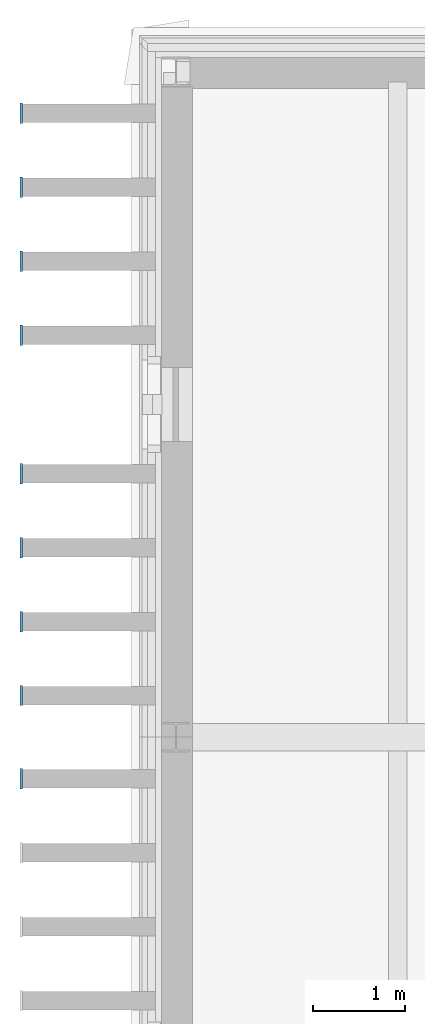
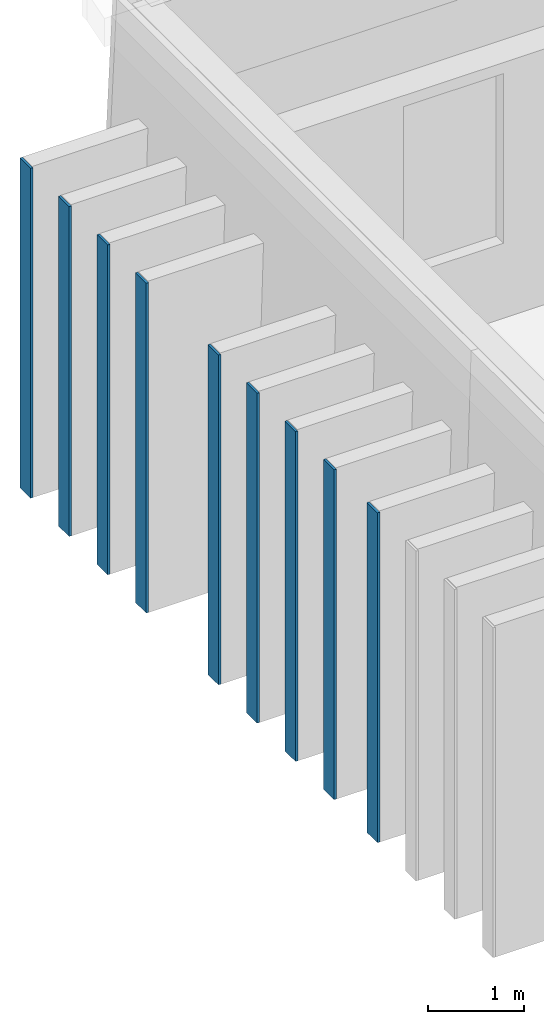
# One storey, part 20 of 44: 9 plates.
"""IFC4 building model written with IfcOpenShell, lengths in metres."""

from ifc_helpers import new_model, si_unit, direction, frame, origin, origin_2d, place, context, subcontext, project, spatial, rectangle, extrude, material, layer, layer_set, type_object, element, save


model = new_model("IFC4")

# Units and contexts
model_context = context("Model", 3, precision=1e-05, world=origin(), true_north=direction((0.0, 1.0)))
body_context = subcontext(model_context, "Body", "Model", "MODEL_VIEW")
ifc_project = project(units=[si_unit("LENGTHUNIT", "METRE"), si_unit("AREAUNIT", "SQUARE_METRE"), si_unit("VOLUMEUNIT", "CUBIC_METRE"), si_unit("PLANEANGLEUNIT", "RADIAN"), si_unit("MASSUNIT", "GRAM", prefix="KILO")], contexts=[model_context])

# Site, building, storey
site_placement = place(None, origin())
site = spatial("IfcSite", under=ifc_project, at=site_placement, CompositionType="ELEMENT")
building_placement = place(site_placement, origin())
building = spatial("IfcBuilding", under=site, at=building_placement, Name="Narikvali Park Central Library", CompositionType="ELEMENT")
storey_placement = place(building_placement, frame((0.0, 0.0, 22.800048828125)))
storey = spatial("IfcBuildingStorey", under=building, at=storey_placement, Name="L05", CompositionType="ELEMENT", Elevation=22.800048828125)

# Plates
ifc_material = material(Name="Anodised Bronze Aluminium", Category="aluminium")
ifc_layer = layer(ifc_material, 0.028076171875, Name="Anodised Bronze Aluminium")
ifc_layer_set = layer_set([ifc_layer], Name="Anodised Bronze Aluminium")
plate_type = type_object("IfcPlateType", Name="Vertical Brick Fin Bronze Bullnose Cap 28", PredefinedType="SHEET", material=ifc_layer_set)
for number, where, z_axis, x_axis, name in (
    (1, (-1.672119140625, 100.35009765625, 0.009765625), (0.0, 0.0, 1.0), (1.0, 0.0, 0.0), "West Stacks Fin Bullnose Trim 456"),
    (2, (-1.672119140625, 101.25, 0.009765625), (0.0, 0.0, 1.0), (1.0, 0.0, 0.0), "West Stacks Fin Bullnose Trim 462"),
    (3, (-1.672119140625, 102.050048828125, 0.009765625), (0.0, 0.0, 1.0), (1.0, 0.0, 0.0), "West Stacks Fin Bullnose Trim 468"),
    (4, (-1.672119140625, 102.85009765625, 0.009765625), (0.0, 0.0, 1.0), (1.0, 0.0, 0.0), "West Stacks Fin Bullnose Trim 474"),
    (5, (-1.672119140625, 103.64990234375, 0.009765625), (0.0, 0.0, 1.0), (1.0, 0.0, 0.0), "West Stacks Fin Bullnose Trim 480"),
    (6, (-1.672119140625, 105.14990234375, 0.009765625), (0.0, 0.0, 1.0), (1.0, 0.0, 0.0), "West Stacks Fin Bullnose Trim 486"),
    (7, (-1.672119140625, 105.949951171875, 0.009765625), (0.0, 0.0, 1.0), (1.0, 0.0, 0.0), "West Stacks Fin Bullnose Trim 492"),
    (8, (-1.672119140625, 106.75, 0.009765625), (0.0, 0.0, 1.0), (1.0, 0.0, 0.0), "West Stacks Fin Bullnose Trim 498"),
    (9, (-1.672119140625, 107.550048828125, 0.009765625), (0.0, 0.0, 1.0), (1.0, 0.0, 0.0), "West Stacks Fin Bullnose Trim 504"),
):
    element("IfcPlate", number, at=place(storey_placement, frame(where, z_axis=z_axis, x_axis=x_axis)), inside=storey, type_object=plate_type, Name=name, PredefinedType="SHEET", context=body_context, shape_type="SweptSolid", body=[
        extrude(rectangle(XDim=0.028076171875, YDim=0.219970703125, at=origin_2d()), origin(), (0.0, 0.0, 1.0), 4.179931640625),
    ])

save(model, "model.ifc")
